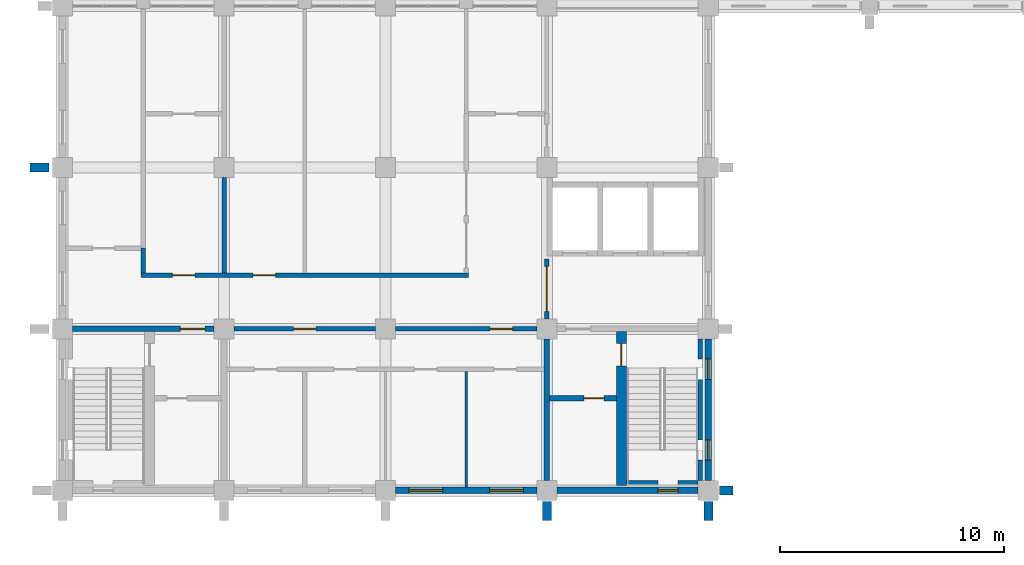
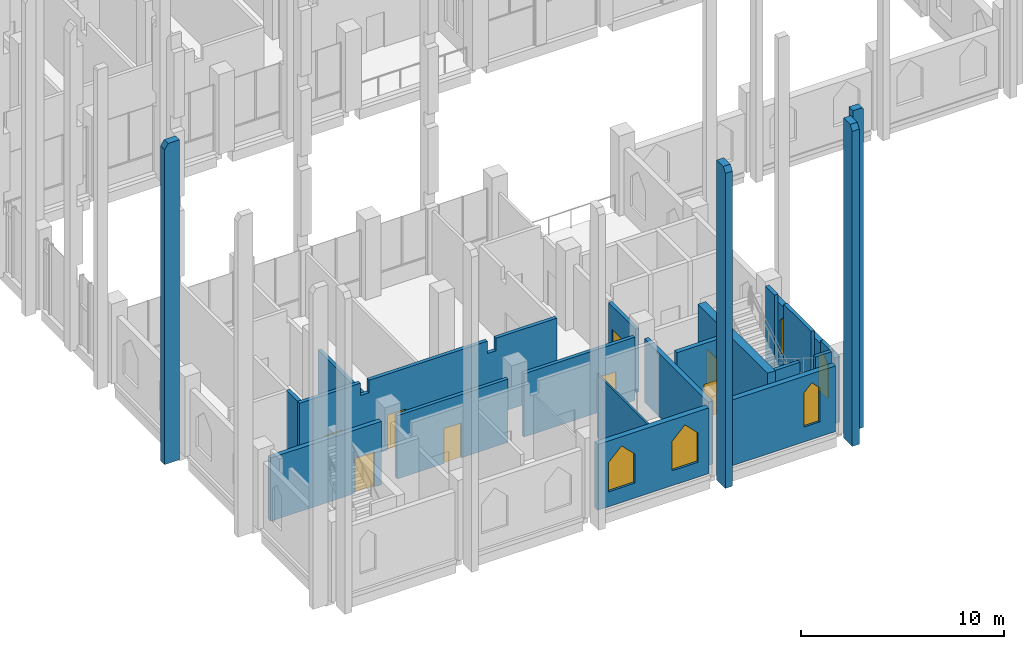
# One storey, part 28 of 40: 23 walls, 8 doors, 5 windows, 13 openings.
"""IFC4 building model written with IfcOpenShell, lengths in metres."""

from ifc_helpers import new_model, si_unit, direction, frame, frame_2d, origin, place, context, subcontext, project, spatial, polyline, rectangle, outline, extrude, material, layer, layer_set, type_object, element, fill, save


model = new_model("IFC4")

# Units and contexts
model_context = context("Model", 3, precision=1e-05, world=origin(), true_north=direction((0.0, 1.0)))
body_context = subcontext(model_context, "Body", "Model", "MODEL_VIEW")
ifc_project = project(units=[si_unit("LENGTHUNIT", "METRE"), si_unit("AREAUNIT", "SQUARE_METRE"), si_unit("VOLUMEUNIT", "CUBIC_METRE"), si_unit("PLANEANGLEUNIT", "RADIAN"), si_unit("MASSUNIT", "GRAM", prefix="KILO")], contexts=[model_context])

# Site, building, storey
site_placement = place(None, origin())
site = spatial("IfcSite", under=ifc_project, at=site_placement, CompositionType="ELEMENT")
building_placement = place(site_placement, origin())
building = spatial("IfcBuilding", under=site, at=building_placement, Name="Silangan Lancet Faculty of Sciences", CompositionType="ELEMENT")
storey_placement = place(building_placement, frame((0.0, 0.0, 21.60009765625)))
storey = spatial("IfcBuildingStorey", under=building, at=storey_placement, Name="L04", CompositionType="ELEMENT", Elevation=21.60009765625)

# Wall, openings, windows
ifc_material_1 = material(Name="Concrete C40/50 precast", Category="concrete")
ifc_layer_1 = layer(ifc_material_1, 0.300048828125)
ifc_layer_set_1 = layer_set([ifc_layer_1], Name="Concrete C40/50 precast")
wall_type_1 = type_object("IfcWallType", Name="EW1 Precast cladding wall", PredefinedType="STANDARD", material=ifc_layer_set_1)
wall_1_placement = place(storey_placement, frame((14.85009765625, 0.0, 0.0), z_axis=(0.0, 0.0, 1.0), x_axis=(1.0, 0.0, 0.0)))
wall_1 = element("IfcWall", 1, at=wall_1_placement, inside=storey, type_object=wall_type_1, Name="EW-L04-S-ST-02", PredefinedType="STANDARD", context=body_context, shape_type="SweptSolid", body=[
    extrude(rectangle(XDim=6.2998046875, YDim=0.300048828125, at=frame_2d((3.14990234375, 0.0))), origin(), (0.0, 0.0, 1.0), 3.949951171875),
])
opening_1_placement = place(wall_1_placement, frame((0.60009765625, 0.0, 0.89990234375)))
opening_1 = element("IfcOpeningElement", 2, at=opening_1_placement, cuts=wall_1, Name="Opening W12", PredefinedType="OPENING", context=body_context, shape_type="SweptSolid", body=[
    extrude(outline(polyline([(0.0, 0.0), (1.5, 0.0), (1.5, 1.75), (0.75, 2.5), (0.0, 1.75), (0.0, 0.0)])), frame((0.0, 0.159912109375, 0.0), z_axis=(0.0, -1.0, 0.0), x_axis=(1.0, 0.0, 0.0)), (0.0, 0.0, 1.0), 0.320068359375),
])
opening_2_placement = place(wall_1_placement, frame((4.199951171875, 0.0, 0.89990234375)))
opening_2 = element("IfcOpeningElement", 3, at=opening_2_placement, cuts=wall_1, Name="Opening W12", PredefinedType="OPENING", context=body_context, shape_type="SweptSolid", body=[
    extrude(outline(polyline([(0.0, 0.0), (1.5, 0.0), (1.5, 1.75), (0.75, 2.5), (0.0, 1.75), (0.0, 0.0)])), frame((0.0, 0.159912109375, 0.0), z_axis=(0.0, -1.0, 0.0), x_axis=(1.0, 0.0, 0.0)), (0.0, 0.0, 1.0), 0.320068359375),
])
ifc_material_2 = material(Name="Aluminium frame, laminated double glazing", Category="aluminium")
window_type_1 = type_object("IfcWindowType", Name="W12 Lancet window 1500 x 2500", PartitioningType="SINGLE_PANEL", PredefinedType="WINDOW", material=ifc_material_2)
window_1_placement = place(opening_1_placement, origin())
window_1 = element("IfcWindow", 4, at=window_1_placement, inside=storey, type_object=window_type_1, Name="WIN-L04-S-ST-02a", OverallHeight=2.5, OverallWidth=1.5, PartitioningType="SINGLE_PANEL", PredefinedType="WINDOW", context=body_context, shape_type="SweptSolid", body=[
    extrude(outline(polyline([(0.0, 0.0), (1.5, 0.0), (1.5, 1.75), (0.75, 2.5), (0.0, 1.75), (0.0, 0.0)])), frame((0.0, 0.030029296875, 0.0), z_axis=(0.0, -1.0, 0.0), x_axis=(1.0, 0.0, 0.0)), (0.0, 0.0, 1.0), 0.06005859375),
])
fill(opening_1, window_1)
window_2_placement = place(opening_2_placement, origin())
window_2 = element("IfcWindow", 5, at=window_2_placement, inside=storey, type_object=window_type_1, Name="WIN-L04-S-ST-02b", OverallHeight=2.5, OverallWidth=1.5, PartitioningType="SINGLE_PANEL", PredefinedType="WINDOW", context=body_context, shape_type="SweptSolid", body=[
    extrude(outline(polyline([(0.0, 0.0), (1.5, 0.0), (1.5, 1.75), (0.75, 2.5), (0.0, 1.75), (0.0, 0.0)])), frame((0.0, 0.030029296875, 0.0), z_axis=(0.0, -1.0, 0.0), x_axis=(1.0, 0.0, 0.0)), (0.0, 0.0, 1.0), 0.06005859375),
])
fill(opening_2, window_2)

# Wall, opening, window
ifc_material_3 = material(Name="Concrete C40/50 precast", Category="concrete")
ifc_layer_2 = layer(ifc_material_3, 0.300048828125)
ifc_layer_set_2 = layer_set([ifc_layer_2], Name="Concrete C40/50 precast")
wall_type_2 = type_object("IfcWallType", Name="EW2 Turret enclosure wall", PredefinedType="STANDARD", material=ifc_layer_set_2)
wall_2_placement = place(storey_placement, frame((22.050048828125, 0.0, 0.0), z_axis=(0.0, 0.0, 1.0), x_axis=(1.0, 0.0, 0.0)))
wall_2 = element("IfcWall", 6, at=wall_2_placement, inside=storey, type_object=wall_type_2, Name="EW-L04-S-ST-03", PredefinedType="STANDARD", context=body_context, shape_type="SweptSolid", body=[
    extrude(rectangle(XDim=6.300048828125, YDim=0.300048828125, at=frame_2d((3.14990234375, 0.0))), origin(), (0.0, 0.0, 1.0), 3.949951171875),
])
opening_3_placement = place(wall_2_placement, frame((4.5, 0.0, 0.89990234375)))
opening_3 = element("IfcOpeningElement", 7, at=opening_3_placement, cuts=wall_2, Name="Opening W11", PredefinedType="OPENING", context=body_context, shape_type="SweptSolid", body=[
    extrude(outline(polyline([(0.0, 0.0), (0.89990234375, 0.0), (0.89990234375, 2.050048828125), (0.449951171875, 2.5), (0.0, 2.050048828125), (0.0, 0.0)])), frame((0.0, 0.159912109375, 0.0), z_axis=(0.0, -1.0, 0.0), x_axis=(1.0, 0.0, 0.0)), (0.0, 0.0, 1.0), 0.320068359375),
])
ifc_material_4 = material(Name="Aluminium frame, laminated double glazing", Category="aluminium")
window_type_2 = type_object("IfcWindowType", Name="W11 Lancet window 900 x 2500", PartitioningType="SINGLE_PANEL", PredefinedType="WINDOW", material=ifc_material_4)
window_3_placement = place(opening_3_placement, origin())
window_3 = element("IfcWindow", 8, at=window_3_placement, inside=storey, type_object=window_type_2, Name="WIN-L04-S-ST-03b", OverallHeight=2.5, OverallWidth=0.89990234375, PartitioningType="SINGLE_PANEL", PredefinedType="WINDOW", context=body_context, shape_type="SweptSolid", body=[
    extrude(outline(polyline([(0.0, 0.0), (0.89990234375, 0.0), (0.89990234375, 2.050048828125), (0.449951171875, 2.5), (0.0, 2.050048828125), (0.0, 0.0)])), frame((0.0, 0.030029296875, 0.0), z_axis=(0.0, -1.0, 0.0), x_axis=(1.0, 0.0, 0.0)), (0.0, 0.0, 1.0), 0.06005859375),
])
fill(opening_3, window_3)

# Wall, openings, windows
wall_3_placement = place(storey_placement, frame((28.800048828125, 0.449951171875, 0.0), z_axis=(0.0, 0.0, 1.0), x_axis=(0.0, 1.0, 0.0)))
wall_3 = element("IfcWall", 9, at=wall_3_placement, inside=storey, type_object=wall_type_2, Name="EW-L04-E-ST-00", PredefinedType="STANDARD", context=body_context, shape_type="SweptSolid", body=[
    extrude(rectangle(XDim=6.300048828125, YDim=0.300048828125, at=frame_2d((3.14990234375, 0.0))), origin(), (0.0, 0.0, 1.0), 3.949951171875),
])
opening_4_placement = place(wall_3_placement, frame((0.89990234375, 0.0, 0.89990234375)))
opening_4 = element("IfcOpeningElement", 10, at=opening_4_placement, cuts=wall_3, Name="Opening W11", PredefinedType="OPENING", context=body_context, shape_type="SweptSolid", body=[
    extrude(outline(polyline([(0.0, 0.0), (0.89990234375, 0.0), (0.89990234375, 2.050048828125), (0.449951171875, 2.5), (0.0, 2.050048828125), (0.0, 0.0)])), frame((0.0, 0.159912109375, 0.0), z_axis=(0.0, -1.0, 0.0), x_axis=(1.0, 0.0, 0.0)), (0.0, 0.0, 1.0), 0.320068359375),
])
opening_5_placement = place(wall_3_placement, frame((4.5, 0.0, 0.89990234375)))
opening_5 = element("IfcOpeningElement", 11, at=opening_5_placement, cuts=wall_3, Name="Opening W11", PredefinedType="OPENING", context=body_context, shape_type="SweptSolid", body=[
    extrude(outline(polyline([(0.0, 0.0), (0.89990234375, 0.0), (0.89990234375, 2.050048828125), (0.449951171875, 2.5), (0.0, 2.050048828125), (0.0, 0.0)])), frame((0.0, 0.159912109375, 0.0), z_axis=(0.0, -1.0, 0.0), x_axis=(1.0, 0.0, 0.0)), (0.0, 0.0, 1.0), 0.320068359375),
])
window_4_placement = place(opening_4_placement, origin())
window_4 = element("IfcWindow", 12, at=window_4_placement, inside=storey, type_object=window_type_2, Name="WIN-L04-E-ST-00a", OverallHeight=2.5, OverallWidth=0.89990234375, PartitioningType="SINGLE_PANEL", PredefinedType="WINDOW", context=body_context, shape_type="SweptSolid", body=[
    extrude(outline(polyline([(0.0, 0.0), (0.89990234375, 0.0), (0.89990234375, 2.050048828125), (0.449951171875, 2.5), (0.0, 2.050048828125), (0.0, 0.0)])), frame((0.0, 0.030029296875, 0.0), z_axis=(0.0, -1.0, 0.0), x_axis=(1.0, 0.0, 0.0)), (0.0, 0.0, 1.0), 0.06005859375),
])
fill(opening_4, window_4)
window_5_placement = place(opening_5_placement, origin())
window_5 = element("IfcWindow", 13, at=window_5_placement, inside=storey, type_object=window_type_2, Name="WIN-L04-E-ST-00b", OverallHeight=2.5, OverallWidth=0.89990234375, PartitioningType="SINGLE_PANEL", PredefinedType="WINDOW", context=body_context, shape_type="SweptSolid", body=[
    extrude(outline(polyline([(0.0, 0.0), (0.89990234375, 0.0), (0.89990234375, 2.050048828125), (0.449951171875, 2.5), (0.0, 2.050048828125), (0.0, 0.0)])), frame((0.0, 0.030029296875, 0.0), z_axis=(0.0, -1.0, 0.0), x_axis=(1.0, 0.0, 0.0)), (0.0, 0.0, 1.0), 0.06005859375),
])
fill(opening_5, window_5)

# Walls
ifc_material_5 = material(Name="Concrete C40/50 precast", Category="concrete")
ifc_layer_3 = layer(ifc_material_5, 0.39990234375)
ifc_layer_set_3 = layer_set([ifc_layer_3], Name="Concrete C40/50 precast")
wall_type_3 = type_object("IfcWallType", Name="FN11 Buttress Fin column line stage 2 19200", PredefinedType="POLYGONAL", material=ifc_layer_set_3)
for number, where, z_axis, x_axis, name in (
    (14, (21.60009765625, -0.5, -0.25), (0.0, 0.0, 1.0), (0.0, -1.0, 0.0), "FINC-S-ST-04-S2"),
    (15, (28.800048828125, -0.5, -0.25), (0.0, 0.0, 1.0), (0.0, -1.0, 0.0), "FINC-S-SAB-01-S2"),
):
    element("IfcWall", number, at=place(storey_placement, frame(where, z_axis=z_axis, x_axis=x_axis)), inside=storey, type_object=wall_type_3, Name=name, PredefinedType="POLYGONAL", context=body_context, shape_type="SweptSolid", body=[
        extrude(outline(polyline([(0.85009765625, 0.0), (0.85009765625, 18.89990234375), (0.64990234375, 19.199951171875), (0.0, 19.199951171875), (0.0, 0.0), (0.85009765625, 0.0)])), frame((0.0, 0.199951171875, 0.0), z_axis=(0.0, -1.0, 0.0), x_axis=(1.0, 0.0, 0.0)), (0.0, 0.0, 1.0), 0.39990234375),
    ])
ifc_material_6 = material(Name="Concrete C40/50 precast", Category="concrete")
ifc_layer_4 = layer(ifc_material_6, 0.39990234375)
ifc_layer_set_4 = layer_set([ifc_layer_4], Name="Concrete C40/50 precast")
wall_type_4 = type_object("IfcWallType", Name="FN15 Buttress Fin column line stage 2 19200", PredefinedType="POLYGONAL", material=ifc_layer_set_4)
wall_4_placement = place(storey_placement, frame((-0.60009765625, 14.39990234375, -0.25), z_axis=(0.0, 0.0, 1.0), x_axis=(-1.0, 0.0, 0.0)))
element("IfcWall", 16, at=wall_4_placement, inside=storey, type_object=wall_type_4, Name="FINC-W-ST-03-S2", PredefinedType="POLYGONAL", context=body_context, shape_type="SweptSolid", body=[
    extrude(outline(polyline([(0.85009765625, 0.0), (0.85009765625, 18.89990234375), (0.64990234375, 19.199951171875), (0.0, 19.199951171875), (0.0, 0.0), (0.85009765625, 0.0)])), frame((0.0, 0.199951171875, 0.0), z_axis=(0.0, -1.0, 0.0), x_axis=(1.0, 0.0, 0.0)), (0.0, 0.0, 1.0), 0.39990234375),
])
ifc_material_7 = material(Name="Concrete C40/50 precast", Category="concrete")
ifc_layer_5 = layer(ifc_material_7, 0.39990234375)
ifc_layer_set_5 = layer_set([ifc_layer_5], Name="Concrete C40/50 precast")
wall_type_5 = type_object("IfcWallType", Name="FN21 Buttress Fin column line stage 2 19200", PredefinedType="POLYGONAL", material=ifc_layer_set_5)
wall_5_placement = place(storey_placement, frame((29.300048828125, 0.0, -0.25), z_axis=(0.0, 0.0, 1.0), x_axis=(1.0, 0.0, 0.0)))
element("IfcWall", 17, at=wall_5_placement, inside=storey, type_object=wall_type_5, Name="FINC-E-ST-01-S2", PredefinedType="POLYGONAL", context=body_context, shape_type="SweptSolid", body=[
    extrude(outline(polyline([(0.60009765625, 0.0), (0.60009765625, 19.125), (0.550048828125, 19.199951171875), (0.0, 19.199951171875), (0.0, 0.0), (0.60009765625, 0.0)])), frame((0.0, 0.199951171875, 0.0), z_axis=(0.0, -1.0, 0.0), x_axis=(1.0, 0.0, 0.0)), (0.0, 0.0, 1.0), 0.39990234375),
])

# Wall, opening, door
ifc_material_8 = material(Name="Hollow block masonry fm 7 MPa", Category="masonry")
ifc_layer_6 = layer(ifc_material_8, 0.199951171875)
ifc_layer_set_6 = layer_set([ifc_layer_6], Name="Hollow block masonry fm 7 MPa")
wall_type_6 = type_object("IfcWallType", Name="Interior wall PW1 Corridor wall CHB 200", PredefinedType="PARTITIONING", material=ifc_layer_set_6)
wall_6_placement = place(storey_placement, frame((7.64990234375, 7.199951171875, 0.0), z_axis=(0.0, 0.0, 1.0), x_axis=(1.0, 0.0, 0.0)))
wall_6 = element("IfcWall", 18, at=wall_6_placement, inside=storey, type_object=wall_type_6, Name="Corridor wall CHB 200", PredefinedType="PARTITIONING", context=body_context, shape_type="SweptSolid", body=[
    extrude(rectangle(XDim=6.300048828125, YDim=0.199951171875, at=frame_2d((3.14990234375, 0.0))), origin(), (0.0, 0.0, 1.0), 3.7998046875),
])
opening_6_placement = place(wall_6_placement, frame((2.64990234375, 0.0, 0.0)))
opening_6 = element("IfcOpeningElement", 19, at=opening_6_placement, cuts=wall_6, Name="Opening L04-002", PredefinedType="OPENING", context=body_context, shape_type="SweptSolid", body=[
    extrude(rectangle(XDim=1.0, YDim=2.10009765625, at=frame_2d((0.5, 1.050048828125))), frame((0.0, 0.10986328125, 0.0), z_axis=(0.0, -1.0, 0.0), x_axis=(1.0, 0.0, 0.0)), (0.0, 0.0, 1.0), 0.219970703125),
])
ifc_material_9 = material(Name="Steel fire door set", Category="steel")
door_type_1 = type_object("IfcDoorType", Name="Door D1 Single leaf fire door 1000 x 2100", OperationType="SINGLE_SWING_LEFT", PredefinedType="DOOR", material=ifc_material_9)
door_1_placement = place(opening_6_placement, frame((1.0, 0.0, 0.0), z_axis=(0.0, 0.0, 1.0), x_axis=(-1.0, 0.0, 0.0)))
door_1 = element("IfcDoor", 20, at=door_1_placement, inside=storey, type_object=door_type_1, Name="Single leaf fire door 1000 x 2100", OperationType="SINGLE_SWING_RIGHT", OverallHeight=2.10009765625, OverallWidth=1.0, PredefinedType="DOOR", context=body_context, shape_type="SweptSolid", body=[
    extrude(rectangle(XDim=1.0, YDim=2.10009765625, at=frame_2d((0.5, 1.050048828125))), frame((0.0, 0.025146484375, 0.0), z_axis=(0.0, -1.0, 0.0), x_axis=(1.0, 0.0, 0.0)), (0.0, 0.0, 1.0), 0.050048828125),
])
fill(opening_6, door_1)

wall_7_placement = place(storey_placement, frame((14.85009765625, 7.199951171875, 0.0), z_axis=(0.0, 0.0, 1.0), x_axis=(1.0, 0.0, 0.0)))
wall_7 = element("IfcWall", 21, at=wall_7_placement, inside=storey, type_object=wall_type_6, Name="Corridor wall CHB 200", PredefinedType="PARTITIONING", context=body_context, shape_type="SweptSolid", body=[
    extrude(rectangle(XDim=6.2998046875, YDim=0.199951171875, at=frame_2d((3.14990234375, 0.0))), origin(), (0.0, 0.0, 1.0), 3.7998046875),
])
opening_7_placement = place(wall_7_placement, frame((4.224853515625, 0.0, 0.0)))
opening_7 = element("IfcOpeningElement", 22, at=opening_7_placement, cuts=wall_7, Name="Opening L04-003", PredefinedType="OPENING", context=body_context, shape_type="SweptSolid", body=[
    extrude(rectangle(XDim=1.0, YDim=2.10009765625, at=frame_2d((0.5, 1.050048828125))), frame((0.0, 0.10986328125, 0.0), z_axis=(0.0, -1.0, 0.0), x_axis=(1.0, 0.0, 0.0)), (0.0, 0.0, 1.0), 0.219970703125),
])
door_2_placement = place(opening_7_placement, frame((1.0, 0.0, 0.0), z_axis=(0.0, 0.0, 1.0), x_axis=(-1.0, 0.0, 0.0)))
door_2 = element("IfcDoor", 23, at=door_2_placement, inside=storey, type_object=door_type_1, Name="Single leaf fire door 1000 x 2100", OperationType="SINGLE_SWING_LEFT", OverallHeight=2.10009765625, OverallWidth=1.0, PredefinedType="DOOR", context=body_context, shape_type="SweptSolid", body=[
    extrude(rectangle(XDim=1.0, YDim=2.10009765625, at=frame_2d((0.5, 1.050048828125))), frame((0.0, 0.025146484375, 0.0), z_axis=(0.0, -1.0, 0.0), x_axis=(1.0, 0.0, 0.0)), (0.0, 0.0, 1.0), 0.050048828125),
])
fill(opening_7, door_2)

# Wall, openings, doors
wall_8_placement = place(storey_placement, frame((3.5, 9.60009765625, 0.0), z_axis=(0.0, 0.0, 1.0), x_axis=(1.0, 0.0, 0.0)))
wall_8 = element("IfcWall", 24, at=wall_8_placement, inside=storey, type_object=wall_type_6, Name="Corridor wall CHB 200", PredefinedType="PARTITIONING", context=body_context, shape_type="SweptSolid", body=[
    extrude(outline(polyline([(0.0, 0.0), (14.60009765625, 0.0), (14.60009765625, 4.5498046875), (11.14990234375, 4.5498046875), (11.14990234375, 3.7998046875), (10.64990234375, 3.7998046875), (10.64990234375, 4.5498046875), (3.949951171875, 4.5498046875), (3.949951171875, 3.7998046875), (3.449951171875, 3.7998046875), (3.449951171875, 4.5498046875), (0.0, 4.5498046875), (0.0, 0.0)])), frame((0.0, 0.10009765625, 0.0), z_axis=(0.0, -1.0, 0.0), x_axis=(1.0, 0.0, 0.0)), (0.0, 0.0, 1.0), 0.199951171875),
])
opening_8_placement = place(wall_8_placement, frame((1.39990234375, 0.0, 0.0)))
opening_8 = element("IfcOpeningElement", 25, at=opening_8_placement, cuts=wall_8, Name="Opening L04-016", PredefinedType="OPENING", context=body_context, shape_type="SweptSolid", body=[
    extrude(rectangle(XDim=1.0, YDim=2.10009765625, at=frame_2d((0.5, 1.050048828125))), frame((0.0, 0.10986328125, 0.0), z_axis=(0.0, -1.0, 0.0), x_axis=(1.0, 0.0, 0.0)), (0.0, 0.0, 1.0), 0.219970703125),
])
opening_9_placement = place(wall_8_placement, frame((5.0, 0.0, 0.0)))
opening_9 = element("IfcOpeningElement", 26, at=opening_9_placement, cuts=wall_8, Name="Opening L04-018", PredefinedType="OPENING", context=body_context, shape_type="SweptSolid", body=[
    extrude(rectangle(XDim=1.0, YDim=2.10009765625, at=frame_2d((0.5, 1.050048828125))), frame((0.0, 0.10986328125, 0.0), z_axis=(0.0, -1.0, 0.0), x_axis=(1.0, 0.0, 0.0)), (0.0, 0.0, 1.0), 0.219970703125),
])
door_3_placement = place(opening_8_placement, origin())
door_3 = element("IfcDoor", 27, at=door_3_placement, inside=storey, type_object=door_type_1, Name="Single leaf fire door 1000 x 2100", OperationType="SINGLE_SWING_LEFT", OverallHeight=2.10009765625, OverallWidth=1.0, PredefinedType="DOOR", context=body_context, shape_type="SweptSolid", body=[
    extrude(rectangle(XDim=1.0, YDim=2.10009765625, at=frame_2d((0.5, 1.050048828125))), frame((0.0, 0.02490234375, 0.0), z_axis=(0.0, -1.0, 0.0), x_axis=(1.0, 0.0, 0.0)), (0.0, 0.0, 1.0), 0.050048828125),
])
fill(opening_8, door_3)
door_4_placement = place(opening_9_placement, origin())
door_4 = element("IfcDoor", 28, at=door_4_placement, inside=storey, type_object=door_type_1, Name="Single leaf fire door 1000 x 2100", OperationType="SINGLE_SWING_LEFT", OverallHeight=2.10009765625, OverallWidth=1.0, PredefinedType="DOOR", context=body_context, shape_type="SweptSolid", body=[
    extrude(rectangle(XDim=1.0, YDim=2.10009765625, at=frame_2d((0.5, 1.050048828125))), frame((0.0, 0.02490234375, 0.0), z_axis=(0.0, -1.0, 0.0), x_axis=(1.0, 0.0, 0.0)), (0.0, 0.0, 1.0), 0.050048828125),
])
fill(opening_9, door_4)

# Walls
wall_9_placement = place(storey_placement, frame((3.60009765625, 9.699951171875, 0.0), z_axis=(0.0, 0.0, 1.0), x_axis=(0.0, 1.0, 0.0)))
element("IfcWall", 29, at=wall_9_placement, inside=storey, type_object=wall_type_6, Name="Corridor wall CHB 200", PredefinedType="PARTITIONING", context=body_context, shape_type="SweptSolid", body=[
    extrude(rectangle(XDim=1.10009765625, YDim=0.199951171875, at=frame_2d((0.550048828125, 0.0))), origin(), (0.0, 0.0, 1.0), 4.5498046875),
])
ifc_material_10 = material(Name="Hollow block masonry fm 7 MPa", Category="masonry")
ifc_layer_7 = layer(ifc_material_10, 0.199951171875)
ifc_layer_set_7 = layer_set([ifc_layer_7], Name="Hollow block masonry fm 7 MPa")
wall_type_7 = type_object("IfcWallType", Name="Interior wall PW4 Laboratory separation CHB 200", PredefinedType="PARTITIONING", material=ifc_layer_set_7)
wall_10_placement = place(storey_placement, frame((7.199951171875, 9.699951171875, 0.0), z_axis=(0.0, 0.0, 1.0), x_axis=(0.0, 1.0, 0.0)))
element("IfcWall", 30, at=wall_10_placement, inside=storey, type_object=wall_type_7, Name="Laboratory separation CHB 200", PredefinedType="PARTITIONING", context=body_context, shape_type="SweptSolid", body=[
    extrude(rectangle(XDim=4.25, YDim=0.199951171875, at=frame_2d((2.125, 0.0))), origin(), (0.0, 0.0, 1.0), 3.7998046875),
])
ifc_material_11 = material(Name="Hollow block masonry fm 7 MPa", Category="masonry")
ifc_layer_8 = layer(ifc_material_11, 0.10009765625)
ifc_layer_set_8 = layer_set([ifc_layer_8], Name="Hollow block masonry fm 7 MPa")
wall_type_8 = type_object("IfcWallType", Name="Interior wall PW8 WC partition CHB 100", PredefinedType="PARTITIONING", material=ifc_layer_set_8)
wall_11_placement = place(storey_placement, frame((18.0, 0.14990234375, 0.0), z_axis=(0.0, 0.0, 1.0), x_axis=(0.0, 1.0, 0.0)))
element("IfcWall", 31, at=wall_11_placement, inside=storey, type_object=wall_type_8, Name="WC partition CHB 100", PredefinedType="PARTITIONING", context=body_context, shape_type="SweptSolid", body=[
    extrude(rectangle(XDim=5.150146484375, YDim=0.10009765625, at=frame_2d((2.5751953125, 0.0))), origin(), (0.0, 0.0, 1.0), 3.7998046875),
])

# Wall, opening, door
ifc_material_12 = material(Name="Hollow block masonry fm 7 MPa", Category="masonry")
ifc_layer_9 = layer(ifc_material_12, 0.199951171875)
ifc_layer_set_9 = layer_set([ifc_layer_9], Name="Hollow block masonry fm 7 MPa")
wall_type_9 = type_object("IfcWallType", Name="Interior wall PW9 Lift lobby wall CHB 200", PredefinedType="PARTITIONING", material=ifc_layer_set_9)
wall_12_placement = place(storey_placement, frame((21.60009765625, 7.64990234375, 0.0), z_axis=(0.0, 0.0, 1.0), x_axis=(0.0, 1.0, 0.0)))
wall_12 = element("IfcWall", 32, at=wall_12_placement, inside=storey, type_object=wall_type_9, Name="Lift lobby wall CHB 200", PredefinedType="PARTITIONING", context=body_context, shape_type="SweptSolid", body=[
    extrude(rectangle(XDim=2.675048828125, YDim=0.199951171875, at=frame_2d((1.33740234375, 0.0))), origin(), (0.0, 0.0, 1.0), 3.7998046875),
])
opening_10_placement = place(wall_12_placement, frame((0.33740234375, 0.0, 0.0)))
opening_10 = element("IfcOpeningElement", 33, at=opening_10_placement, cuts=wall_12, Name="Opening L04-001", PredefinedType="OPENING", context=body_context, shape_type="SweptSolid", body=[
    extrude(rectangle(XDim=2.0, YDim=2.39990234375, at=frame_2d((1.0, 1.199951171875))), frame((0.0, 0.10986328125, 0.0), z_axis=(0.0, -1.0, 0.0), x_axis=(1.0, 0.0, 0.0)), (0.0, 0.0, 1.0), 0.219970703125),
])
ifc_material_13 = material(Name="Steel fire door set", Category="steel")
door_type_2 = type_object("IfcDoorType", Name="Door D5 Lift lobby double fire door 2000 x 2400", OperationType="DOUBLE_DOOR_SINGLE_SWING", PredefinedType="DOOR", material=ifc_material_13)
door_5_placement = place(opening_10_placement, origin())
door_5 = element("IfcDoor", 34, at=door_5_placement, inside=storey, type_object=door_type_2, Name="Lift lobby double fire door 2000 x 2400", OperationType="DOUBLE_DOOR_SINGLE_SWING", OverallHeight=2.39990234375, OverallWidth=2.0, PredefinedType="DOOR", context=body_context, shape_type="SweptSolid", body=[
    extrude(rectangle(XDim=2.0, YDim=2.39990234375, at=frame_2d((1.0, 1.199951171875))), frame((0.0, 0.02490234375, 0.0), z_axis=(0.0, -1.0, 0.0), x_axis=(1.0, 0.0, 0.0)), (0.0, 0.0, 1.0), 0.050048828125),
])
fill(opening_10, door_5)

ifc_material_14 = material(Name="Concrete C40/50", Category="concrete")
ifc_layer_10 = layer(ifc_material_14, 0.449951171875)
ifc_layer_set_10 = layer_set([ifc_layer_10], Name="Concrete C40/50")
wall_type_10 = type_object("IfcWallType", Name="TURRET CORE WALL RC 450", PredefinedType="SHEAR", material=ifc_layer_set_10)
wall_13_placement = place(storey_placement, frame((24.925048828125, 0.22509765625, 0.0), z_axis=(0.0, 0.0, 1.0), x_axis=(0.0, 1.0, 0.0)))
wall_13 = element("IfcWall", 35, at=wall_13_placement, inside=storey, type_object=wall_type_10, Name="WALL-L04-ST-B-WELL", PredefinedType="SHEAR", context=body_context, shape_type="SweptSolid", body=[
    extrude(rectangle(XDim=6.849853515625, YDim=0.449951171875, at=frame_2d((3.4248046875, 0.0))), origin(), (0.0, 0.0, 1.0), 4.5498046875),
])
opening_11_placement = place(wall_13_placement, frame((5.324951171875, 0.0, 0.0)))
opening_11 = element("IfcOpeningElement", 36, at=opening_11_placement, cuts=wall_13, Name="Opening L04-716", PredefinedType="OPENING", context=body_context, shape_type="SweptSolid", body=[
    extrude(rectangle(XDim=1.0, YDim=2.10009765625, at=frame_2d((0.5, 1.050048828125))), frame((0.0, 0.23486328125, 0.0), z_axis=(0.0, -1.0, 0.0), x_axis=(1.0, 0.0, 0.0)), (0.0, 0.0, 1.0), 0.469970703125),
])
ifc_material_15 = material(Name="Steel fire door set", Category="steel")
door_type_3 = type_object("IfcDoorType", Name="D71 Stair enclosure door 1000x2100", OperationType="SINGLE_SWING_LEFT", PredefinedType="DOOR", material=ifc_material_15)
door_6_placement = place(opening_11_placement, frame((1.0, 0.0, 0.0), z_axis=(0.0, 0.0, 1.0), x_axis=(-1.0, 0.0, 0.0)))
door_6 = element("IfcDoor", 37, at=door_6_placement, inside=storey, type_object=door_type_3, Name="Stair enclosure door ST-B L04", OperationType="SINGLE_SWING_LEFT", OverallHeight=2.10009765625, OverallWidth=1.0, PredefinedType="DOOR", context=body_context, shape_type="SweptSolid", body=[
    extrude(rectangle(XDim=1.0, YDim=2.10009765625, at=frame_2d((0.5, 1.050048828125))), frame((0.0, 0.025146484375, 0.0), z_axis=(0.0, -1.0, 0.0), x_axis=(1.0, 0.0, 0.0)), (0.0, 0.0, 1.0), 0.050048828125),
])
fill(opening_11, door_6)

# Walls
ifc_material_16 = material(Name="Concrete C40/50", Category="concrete")
ifc_layer_11 = layer(ifc_material_16, 0.199951171875)
ifc_layer_set_11 = layer_set([ifc_layer_11], Name="Concrete C40/50")
wall_type_11 = type_object("IfcWallType", Name="TURRET LINING WALL RC 200", PredefinedType="SHEAR", material=ifc_layer_set_11)
wall_14_placement = place(storey_placement, frame((28.449951171875, 0.449951171875, -0.25), z_axis=(0.0, 0.0, 1.0), x_axis=(0.0, 1.0, 0.0)))
element("IfcWall", 38, at=wall_14_placement, inside=storey, type_object=wall_type_11, Name="WALL-L04-ST-B-WL", PredefinedType="SHEAR", context=body_context, shape_type="SweptSolid", body=[
    extrude(rectangle(XDim=0.900146484375, YDim=0.199951171875, at=frame_2d((0.4501953125, 0.0))), origin(), (0.0, 0.0, 1.0), 4.7998046875),
])
wall_15_placement = place(storey_placement, frame((28.449951171875, 2.25, -0.25), z_axis=(0.0, 0.0, 1.0), x_axis=(0.0, 1.0, 0.0)))
element("IfcWall", 39, at=wall_15_placement, inside=storey, type_object=wall_type_11, Name="WALL-L04-ST-B-WL-2", PredefinedType="SHEAR", context=body_context, shape_type="SweptSolid", body=[
    extrude(rectangle(XDim=2.699951171875, YDim=0.199951171875, at=frame_2d((1.35009765625, 0.0))), origin(), (0.0, 0.0, 1.0), 4.7998046875),
])
wall_16_placement = place(storey_placement, frame((28.449951171875, 5.85009765625, -0.25), z_axis=(0.0, 0.0, 1.0), x_axis=(0.0, 1.0, 0.0)))
element("IfcWall", 40, at=wall_16_placement, inside=storey, type_object=wall_type_11, Name="WALL-L04-ST-B-WL-3", PredefinedType="SHEAR", context=body_context, shape_type="SweptSolid", body=[
    extrude(rectangle(XDim=0.89990234375, YDim=0.199951171875, at=frame_2d((0.449951171875, 0.0))), origin(), (0.0, 0.0, 1.0), 4.7998046875),
])
wall_17_placement = place(storey_placement, frame((25.14990234375, 0.35009765625, -0.25), z_axis=(0.0, 0.0, 1.0), x_axis=(1.0, 0.0, 0.0)))
element("IfcWall", 41, at=wall_17_placement, inside=storey, type_object=wall_type_11, Name="WALL-L04-ST-B-WLD", PredefinedType="SHEAR", context=body_context, shape_type="SweptSolid", body=[
    extrude(rectangle(XDim=1.400146484375, YDim=0.199951171875, at=frame_2d((0.7001953125, 0.0))), origin(), (0.0, 0.0, 1.0), 4.7998046875),
])
wall_18_placement = place(storey_placement, frame((27.449951171875, 0.35009765625, -0.25), z_axis=(0.0, 0.0, 1.0), x_axis=(1.0, 0.0, 0.0)))
element("IfcWall", 42, at=wall_18_placement, inside=storey, type_object=wall_type_11, Name="WALL-L04-ST-B-WLD-2", PredefinedType="SHEAR", context=body_context, shape_type="SweptSolid", body=[
    extrude(rectangle(XDim=0.900146484375, YDim=0.199951171875, at=frame_2d((0.4501953125, 0.0))), origin(), (0.0, 0.0, 1.0), 4.7998046875),
])

# Wall, opening, door
ifc_material_17 = material(Name="Concrete C40/50", Category="concrete")
ifc_layer_12 = layer(ifc_material_17, 0.25)
ifc_layer_set_12 = layer_set([ifc_layer_12], Name="Concrete C40/50")
wall_type_12 = type_object("IfcWallType", Name="TURRET WALL RC 250", PredefinedType="SHEAR", material=ifc_layer_set_12)
wall_19_placement = place(storey_placement, frame((0.449951171875, 7.199951171875, 0.0), z_axis=(0.0, 0.0, 1.0), x_axis=(1.0, 0.0, 0.0)))
wall_19 = element("IfcWall", 43, at=wall_19_placement, inside=storey, type_object=wall_type_12, Name="WALL-L04-ST-A-V", PredefinedType="SHEAR", context=body_context, shape_type="SweptSolid", body=[
    extrude(rectangle(XDim=6.300048828125, YDim=0.25, at=frame_2d((3.14990234375, 0.0))), origin(), (0.0, 0.0, 1.0), 3.7998046875),
])
opening_12_placement = place(wall_19_placement, frame((4.800048828125, 0.0, 0.0)))
opening_12 = element("IfcOpeningElement", 44, at=opening_12_placement, cuts=wall_19, Name="Opening L04-714", PredefinedType="OPENING", context=body_context, shape_type="SweptSolid", body=[
    extrude(rectangle(XDim=1.10009765625, YDim=2.10009765625, at=frame_2d((0.550048828125, 1.050048828125))), frame((0.0, 0.135009765625, 0.0), z_axis=(0.0, -1.0, 0.0), x_axis=(1.0, 0.0, 0.0)), (0.0, 0.0, 1.0), 0.27001953125),
])
ifc_material_18 = material(Name="Steel fire door set", Category="steel")
door_type_4 = type_object("IfcDoorType", Name="D70 Stair vestibule door 1100x2100", OperationType="SINGLE_SWING_LEFT", PredefinedType="DOOR", material=ifc_material_18)
door_7_placement = place(opening_12_placement, frame((1.10009765625, 0.0, 0.0), z_axis=(0.0, 0.0, 1.0), x_axis=(-1.0, 0.0, 0.0)))
door_7 = element("IfcDoor", 45, at=door_7_placement, inside=storey, type_object=door_type_4, Name="Stair vestibule door ST-A L04", OperationType="SINGLE_SWING_LEFT", OverallHeight=2.10009765625, OverallWidth=1.10009765625, PredefinedType="DOOR", context=body_context, shape_type="SweptSolid", body=[
    extrude(rectangle(XDim=1.10009765625, YDim=2.10009765625, at=frame_2d((0.550048828125, 1.050048828125))), frame((0.0, 0.025146484375, 0.0), z_axis=(0.0, -1.0, 0.0), x_axis=(1.0, 0.0, 0.0)), (0.0, 0.0, 1.0), 0.050048828125),
])
fill(opening_12, door_7)

# Wall
wall_20_placement = place(storey_placement, frame((21.60009765625, 0.449951171875, 0.0), z_axis=(0.0, 0.0, 1.0), x_axis=(0.0, 1.0, 0.0)))
element("IfcWall", 46, at=wall_20_placement, inside=storey, type_object=wall_type_12, Name="WALL-L04-ST-B-O", PredefinedType="SHEAR", context=body_context, shape_type="SweptSolid", body=[
    extrude(rectangle(XDim=6.300048828125, YDim=0.25, at=frame_2d((3.14990234375, 0.0))), origin(), (0.0, 0.0, 1.0), 3.7998046875),
])

# Wall, opening, door
wall_21_placement = place(storey_placement, frame((21.72509765625, 4.10009765625, 0.0), z_axis=(0.0, 0.0, 1.0), x_axis=(1.0, 0.0, 0.0)))
wall_21 = element("IfcWall", 47, at=wall_21_placement, inside=storey, type_object=wall_type_12, Name="WALL-L04-ST-B-RISER", PredefinedType="SHEAR", context=body_context, shape_type="SweptSolid", body=[
    extrude(rectangle(XDim=2.974853515625, YDim=0.25, at=frame_2d((1.4873046875, 0.0))), origin(), (0.0, 0.0, 1.0), 4.5498046875),
])
opening_13_placement = place(wall_21_placement, frame((1.52490234375, 0.0, 0.0)))
opening_13 = element("IfcOpeningElement", 48, at=opening_13_placement, cuts=wall_21, Name="Opening L04-718", PredefinedType="OPENING", context=body_context, shape_type="SweptSolid", body=[
    extrude(rectangle(XDim=0.89990234375, YDim=2.10009765625, at=frame_2d((0.449951171875, 1.050048828125))), frame((0.0, 0.135009765625, 0.0), z_axis=(0.0, -1.0, 0.0), x_axis=(1.0, 0.0, 0.0)), (0.0, 0.0, 1.0), 0.27001953125),
])
ifc_material_19 = material(Name="Steel fire door set", Category="steel")
door_type_5 = type_object("IfcDoorType", Name="D72 Riser access door 900x2100", OperationType="SINGLE_SWING_LEFT", PredefinedType="DOOR", material=ifc_material_19)
door_8_placement = place(opening_13_placement, frame((0.89990234375, 0.0, 0.0), z_axis=(0.0, 0.0, 1.0), x_axis=(-1.0, 0.0, 0.0)))
door_8 = element("IfcDoor", 49, at=door_8_placement, inside=storey, type_object=door_type_5, Name="Riser access door ST-B L04", OperationType="SINGLE_SWING_RIGHT", OverallHeight=2.10009765625, OverallWidth=0.89990234375, PredefinedType="DOOR", context=body_context, shape_type="SweptSolid", body=[
    extrude(rectangle(XDim=0.89990234375, YDim=2.10009765625, at=frame_2d((0.449951171875, 1.050048828125))), frame((0.0, 0.025146484375, 0.0), z_axis=(0.0, -1.0, 0.0), x_axis=(1.0, 0.0, 0.0)), (0.0, 0.0, 1.0), 0.050048828125),
])
fill(opening_13, door_8)

save(model, "model.ifc")
